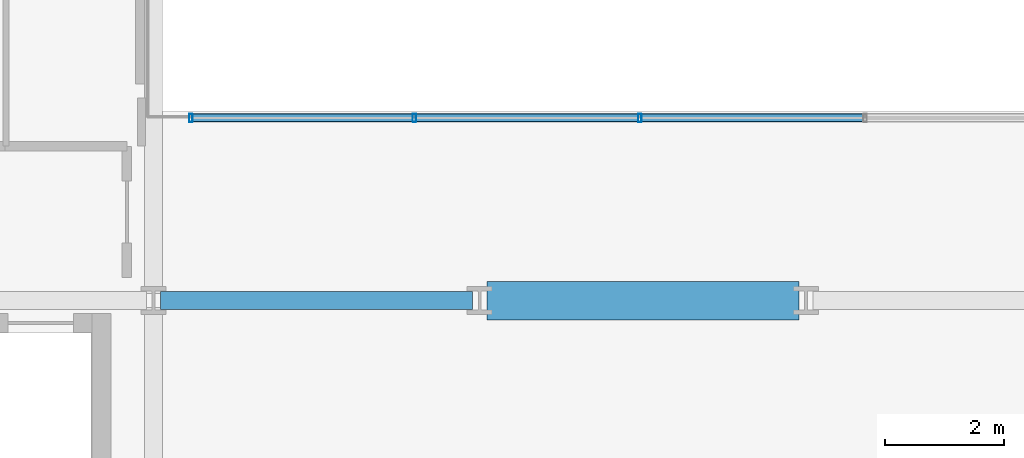
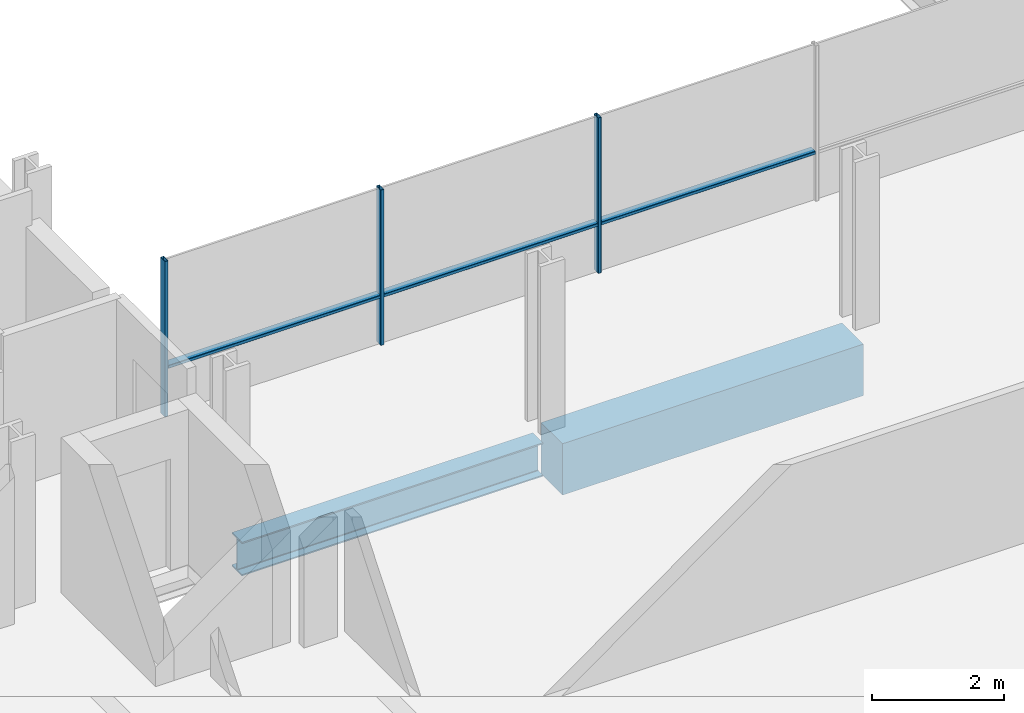
# One storey, part 4 of 41: 6 members, 2 beams, 1 element without a shape of its own.
"""IFC4 building model written with IfcOpenShell, lengths in metres."""

from ifc_helpers import new_model, si_unit, direction, frame, origin, origin_2d, place, context, subcontext, project, spatial, rectangle, hollow_rectangle, i_section, extrude, material, layer, layer_set, material_profile, profile_set, type_object, element, aggregate, save


model = new_model("IFC4")

# Units and contexts
model_context = context("Model", 3, precision=1e-05, world=origin(), true_north=direction((0.0, 1.0)))
body_context = subcontext(model_context, "Body", "Model", "MODEL_VIEW")
ifc_project = project(units=[si_unit("LENGTHUNIT", "METRE"), si_unit("AREAUNIT", "SQUARE_METRE"), si_unit("VOLUMEUNIT", "CUBIC_METRE"), si_unit("PLANEANGLEUNIT", "RADIAN"), si_unit("MASSUNIT", "GRAM", prefix="KILO")], contexts=[model_context])

# Site, building, storey
site_placement = place(None, origin())
site = spatial("IfcSite", under=ifc_project, at=site_placement, CompositionType="ELEMENT")
building_placement = place(site_placement, origin())
building = spatial("IfcBuilding", under=site, at=building_placement, Name="Brevholm Reach", CompositionType="ELEMENT")
storey_placement = place(building_placement, frame((0.0, 0.0, 49.699951171875)))
storey = spatial("IfcBuildingStorey", under=building, at=storey_placement, Name="L13", CompositionType="ELEMENT", Elevation=49.699951171875)

# Beams
ifc_material_1 = material(Name="Concrete C60/75", Category="concrete")
ifc_material_profile_1 = material_profile(ifc_material_1, rectangle(XDim=0.64990234375, YDim=0.949951171875, at=origin_2d()), Name="RC 650x950")
ifc_profile_set_1 = profile_set([ifc_material_profile_1], Name="Concrete C60/75")
beam_type_1 = type_object("IfcBeamType", Name="BM-CB650", PredefinedType="LINTEL", material=ifc_profile_set_1)
beam_1_placement = place(storey_placement, frame((27.3701171875, 10.0, -0.704833984375), z_axis=(1.0, 0.0, 0.0), x_axis=(0.0, 1.0, 0.0)))
element("IfcBeam", 1, at=beam_1_placement, inside=storey, type_object=beam_type_1, Name="L13 CB-01 Framing Beam", PredefinedType="LINTEL", context=body_context, shape_type="SweptSolid", body=[
    extrude(rectangle(XDim=0.64990234375, YDim=0.949951171875, at=origin_2d()), origin(), (0.0, 0.0, 1.0), 5.259765625),
])
ifc_material_2 = material(Name="Structural Steel S355J2", Category="steel")
ifc_material_profile_2 = material_profile(ifc_material_2, i_section(OverallWidth=0.30712890625, OverallDepth=0.6201171875, WebThickness=0.01416015625, FlangeThickness=0.023681640625, FilletRadius=0.0166015625, at=origin_2d()), Name="UKB 610x305x179")
ifc_profile_set_2 = profile_set([ifc_material_profile_2], Name="Structural Steel S355J2")
beam_type_2 = type_object("IfcBeamType", Name="BM-UKB610H", PredefinedType="USERDEFINED", material=ifc_profile_set_2)
beam_2_placement = place(storey_placement, frame((21.8701171875, 10.0, -0.5400390625), z_axis=(1.0, 0.0, 0.0), x_axis=(0.0, 1.0, 0.0)))
element("IfcBeam", 2, at=beam_2_placement, inside=storey, type_object=beam_type_2, Name="L13 G-06 Framing Beam", ObjectType="GIRDER", PredefinedType="USERDEFINED", context=body_context, shape_type="SweptSolid", body=[
    extrude(i_section(OverallWidth=0.30712890625, OverallDepth=0.6201171875, WebThickness=0.01416015625, FlangeThickness=0.023681640625, FilletRadius=0.0166015625, at=origin_2d()), origin(), (0.0, 0.0, 1.0), 5.259765625),
])

# Curtain wall, members
ifc_material_3 = material(Name="Dark Anodised Aluminium 6063-T6 and Solar-Control Glass", Category="aluminium")
ifc_layer = layer(ifc_material_3, 0.139892578125)
ifc_layer_set = layer_set([ifc_layer], Name="Dark Anodised Aluminium 6063-T6 and Solar-Control Glass")
curtain_wall_type = type_object("IfcCurtainWallType", Name="CW-02", PredefinedType="NOTDEFINED", material=ifc_layer_set)
curtain_wall_placement = place(storey_placement, origin())
curtain_wall = element("IfcCurtainWall", 3, at=curtain_wall_placement, inside=storey, type_object=curtain_wall_type, Name="L13 Curtain Wall CW-02", PredefinedType="NOTDEFINED")
ifc_material_4 = material(Name="Dark Anodised Aluminium 6063-T6", Category="aluminium")
ifc_material_profile_3 = material_profile(ifc_material_4, hollow_rectangle(XDim=0.06005859375, YDim=0.139892578125, WallThickness=0.0048828125, InnerFilletRadius=0.0048828125, OuterFilletRadius=0.010009765625, at=origin_2d()), Name="RHS 140x60x5")
ifc_profile_set_3 = profile_set([ifc_material_profile_3], Name="Dark Anodised Aluminium 6063-T6")
member_type_1 = type_object("IfcMemberType", Name="CWM-140", PredefinedType="MULLION", material=ifc_profile_set_3)
member_1_placement = place(storey_placement, frame((22.3798828125, 13.080078125, 0.0), z_axis=(0.0, 0.0, 1.0), x_axis=(1.0, 0.0, 0.0)))
member_1 = element("IfcMember", 4, at=member_1_placement, type_object=member_type_1, Name="CM-140 Mullion 1", PredefinedType="MULLION", context=body_context, shape_type="SweptSolid", body=[
    extrude(hollow_rectangle(XDim=0.06005859375, YDim=0.139892578125, WallThickness=0.0048828125, InnerFilletRadius=0.0048828125, OuterFilletRadius=0.010009765625, at=origin_2d()), origin(), (0.0, 0.0, 1.0), 2.8701171875),
])
member_2_placement = place(storey_placement, frame((26.14990234375, 13.080078125, 0.0), z_axis=(0.0, 0.0, 1.0), x_axis=(1.0, 0.0, 0.0)))
member_2 = element("IfcMember", 5, at=member_2_placement, type_object=member_type_1, Name="CM-140 Mullion 2", PredefinedType="MULLION", context=body_context, shape_type="SweptSolid", body=[
    extrude(hollow_rectangle(XDim=0.06005859375, YDim=0.139892578125, WallThickness=0.0048828125, InnerFilletRadius=0.0048828125, OuterFilletRadius=0.010009765625, at=origin_2d()), origin(), (0.0, 0.0, 1.0), 2.8701171875),
])
member_3_placement = place(storey_placement, frame((29.949951171875, 13.080078125, 0.0), z_axis=(0.0, 0.0, 1.0), x_axis=(1.0, 0.0, 0.0)))
member_3 = element("IfcMember", 6, at=member_3_placement, type_object=member_type_1, Name="CM-140 Mullion 3", PredefinedType="MULLION", context=body_context, shape_type="SweptSolid", body=[
    extrude(hollow_rectangle(XDim=0.06005859375, YDim=0.139892578125, WallThickness=0.0048828125, InnerFilletRadius=0.0048828125, OuterFilletRadius=0.010009765625, at=origin_2d()), origin(), (0.0, 0.0, 1.0), 2.8701171875),
])
ifc_material_5 = material(Name="Dark Anodised Aluminium 6063-T6", Category="aluminium")
ifc_material_profile_4 = material_profile(ifc_material_5, hollow_rectangle(XDim=0.06005859375, YDim=0.139892578125, WallThickness=0.0048828125, InnerFilletRadius=0.0048828125, OuterFilletRadius=0.010009765625, at=origin_2d()), Name="RHS 140x60x5")
ifc_profile_set_4 = profile_set([ifc_material_profile_4], Name="Dark Anodised Aluminium 6063-T6")
member_type_2 = type_object("IfcMemberType", Name="CWT-140", PredefinedType="NOTDEFINED", material=ifc_profile_set_4)
member_4_placement = place(storey_placement, frame((22.409912109375, 13.080078125, 0.900146484375), z_axis=(1.0, 0.0, 0.0), x_axis=(0.0, 0.0, 1.0)))
member_4 = element("IfcMember", 7, at=member_4_placement, type_object=member_type_2, Name="CT-140 Transom 1.1", ObjectType="TRANSOM", PredefinedType="USERDEFINED", context=body_context, shape_type="SweptSolid", body=[
    extrude(hollow_rectangle(XDim=0.06005859375, YDim=0.139892578125, WallThickness=0.0048828125, InnerFilletRadius=0.0048828125, OuterFilletRadius=0.010009765625, at=origin_2d()), origin(), (0.0, 0.0, 1.0), 3.710205078125),
])
member_5_placement = place(storey_placement, frame((26.179931640625, 13.080078125, 0.900146484375), z_axis=(1.0, 0.0, 0.0), x_axis=(0.0, 0.0, 1.0)))
member_5 = element("IfcMember", 8, at=member_5_placement, type_object=member_type_2, Name="CT-140 Transom 2.1", ObjectType="TRANSOM", PredefinedType="USERDEFINED", context=body_context, shape_type="SweptSolid", body=[
    extrude(hollow_rectangle(XDim=0.06005859375, YDim=0.139892578125, WallThickness=0.0048828125, InnerFilletRadius=0.0048828125, OuterFilletRadius=0.010009765625, at=origin_2d()), origin(), (0.0, 0.0, 1.0), 3.739990234375),
])
member_6_placement = place(storey_placement, frame((29.97998046875, 13.080078125, 0.900146484375), z_axis=(1.0, 0.0, 0.0), x_axis=(0.0, 0.0, 1.0)))
member_6 = element("IfcMember", 9, at=member_6_placement, type_object=member_type_2, Name="CT-140 Transom 3.1", ObjectType="TRANSOM", PredefinedType="USERDEFINED", context=body_context, shape_type="SweptSolid", body=[
    extrude(hollow_rectangle(XDim=0.06005859375, YDim=0.139892578125, WallThickness=0.0048828125, InnerFilletRadius=0.0048828125, OuterFilletRadius=0.010009765625, at=origin_2d()), origin(), (0.0, 0.0, 1.0), 3.739990234375),
])
aggregate(curtain_wall, [member_1, member_2, member_3, member_4, member_5, member_6])

save(model, "model.ifc")
